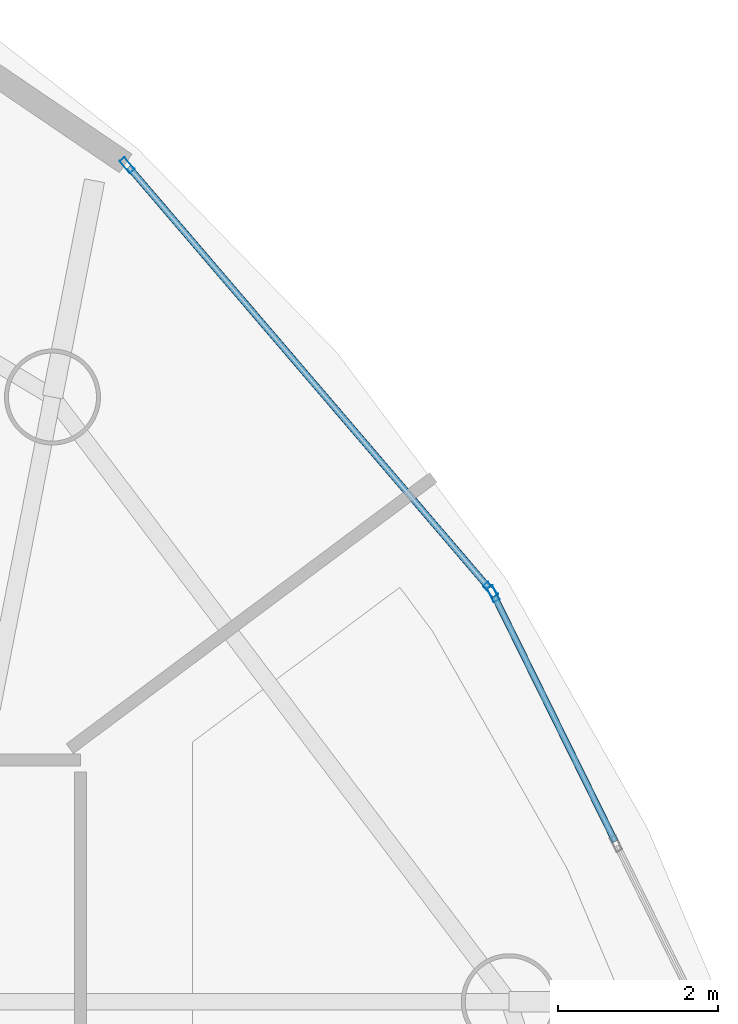
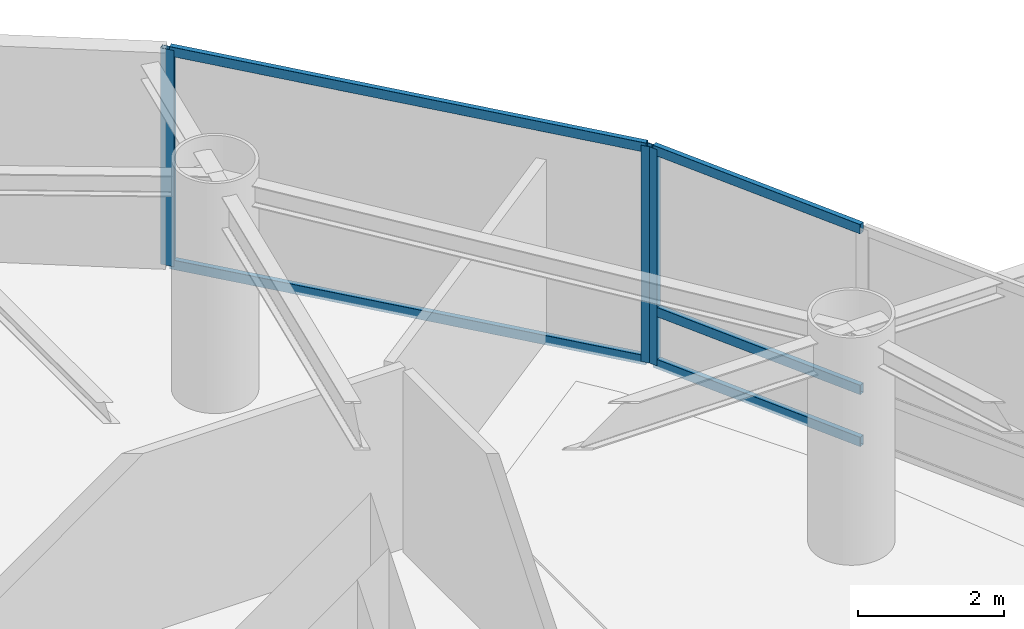
# One storey, part 12 of 19: 8 members, 2 elements without a shape of their own.
"""IFC4 building model written with IfcOpenShell, lengths in metres."""

from ifc_helpers import new_model, si_unit, direction, frame, origin, origin_2d, place, context, subcontext, project, spatial, hollow_rectangle, extrude, material, layer, layer_set, material_profile, profile_set, type_object, element, aggregate, save


model = new_model("IFC4")

# Units and contexts
model_context = context("Model", 3, precision=1e-05, world=origin(), true_north=direction((0.0, 1.0)))
body_context = subcontext(model_context, "Body", "Model", "MODEL_VIEW")
ifc_project = project(units=[si_unit("LENGTHUNIT", "METRE"), si_unit("AREAUNIT", "SQUARE_METRE"), si_unit("VOLUMEUNIT", "CUBIC_METRE"), si_unit("PLANEANGLEUNIT", "RADIAN"), si_unit("MASSUNIT", "GRAM", prefix="KILO")], contexts=[model_context])

# Site, building, storey
site_placement = place(None, origin())
site = spatial("IfcSite", under=ifc_project, at=site_placement, CompositionType="ELEMENT")
building_placement = place(site_placement, origin())
building = spatial("IfcBuilding", under=site, at=building_placement, Name="Bramvorn Convention Spire", CompositionType="ELEMENT")
storey_placement = place(building_placement, frame((0.0, 0.0, 198.14990234375)))
storey = spatial("IfcBuildingStorey", under=building, at=storey_placement, Name="L50", CompositionType="ELEMENT", Elevation=198.14990234375)

# Curtain wall, member
ifc_material_1 = material(Name="Anodised Bronze Unitised Curtain Wall", Category="aluminium")
ifc_layer = layer(ifc_material_1, 0.179931640625)
ifc_layer_set = layer_set([ifc_layer], Name="Anodised Bronze Unitised Curtain Wall - CW-OFF-FRIT")
curtain_wall_type = type_object("IfcCurtainWallType", Name="CW-OFF-FRIT", PredefinedType="USERDEFINED", material=ifc_layer_set)
curtain_wall_1_placement = place(storey_placement, origin())
curtain_wall_1 = element("IfcCurtainWall", 1, at=curtain_wall_1_placement, inside=storey, type_object=curtain_wall_type, Name="L50 fritted glass curtain wall 05", ObjectType="UNITISED CURTAIN WALL", PredefinedType="USERDEFINED")
ifc_material_2 = material(Name="Anodised Bronze Aluminium 6063-T6", Category="aluminium")
ifc_material_profile_1 = material_profile(ifc_material_2, hollow_rectangle(XDim=0.080078125, YDim=0.199951171875, WallThickness=0.00390625, InnerFilletRadius=0.0009765625, OuterFilletRadius=0.00390625, at=origin_2d()))
ifc_profile_set_1 = profile_set([ifc_material_profile_1], Name="Anodised Bronze Aluminium 6063-T6 - CWM80X200")
member_type_1 = type_object("IfcMemberType", Name="CW-MUL-180", PredefinedType="MULLION", material=ifc_profile_set_1)
member_1_placement = place(storey_placement, frame((56.01025390625, 37.42529296875, 0.0), z_axis=(0.0, 0.0, 1.0), x_axis=(0.897188658039, 0.441647497316, 0.0)))
member_1 = element("IfcMember", 2, at=member_1_placement, type_object=member_type_1, Name="CW3 mullion 1", PredefinedType="MULLION", context=body_context, shape_type="SweptSolid", body=[
    extrude(hollow_rectangle(XDim=0.080078125, YDim=0.199951171875, WallThickness=0.00390625, InnerFilletRadius=0.0009765625, OuterFilletRadius=0.00390625, at=origin_2d()), origin(), (0.0, 0.0, 1.0), 3.6201171875),
])

# Curtain wall, members
curtain_wall_2_placement = place(storey_placement, origin())
curtain_wall_2 = element("IfcCurtainWall", 3, at=curtain_wall_2_placement, inside=storey, type_object=curtain_wall_type, Name="L50 fritted glass curtain wall 06", ObjectType="UNITISED CURTAIN WALL", PredefinedType="USERDEFINED")
member_2_placement = place(storey_placement, frame((51.435546875, 42.78271484375, 0.0), z_axis=(0.0, 0.0, 1.0), x_axis=(0.759786338562, 0.650172838355, 0.0)))
member_2 = element("IfcMember", 4, at=member_2_placement, type_object=member_type_1, Name="CW3 mullion 1", PredefinedType="MULLION", context=body_context, shape_type="SweptSolid", body=[
    extrude(hollow_rectangle(XDim=0.080078125, YDim=0.199951171875, WallThickness=0.00390625, InnerFilletRadius=0.0009765625, OuterFilletRadius=0.00390625, at=origin_2d()), origin(), (0.0, 0.0, 1.0), 3.6201171875),
])
member_3_placement = place(storey_placement, frame((55.9775390625, 37.47509765625, 0.0), z_axis=(0.0, 0.0, 1.0), x_axis=(0.759786338562, 0.650172838355, 0.0)))
member_3 = element("IfcMember", 5, at=member_3_placement, type_object=member_type_1, Name="CW3 mullion 2", PredefinedType="MULLION", context=body_context, shape_type="SweptSolid", body=[
    extrude(hollow_rectangle(XDim=0.080078125, YDim=0.199951171875, WallThickness=0.00390625, InnerFilletRadius=0.0009765625, OuterFilletRadius=0.00390625, at=origin_2d()), origin(), (0.0, 0.0, 1.0), 3.6201171875),
])

# Member
ifc_material_profile_2 = material_profile(ifc_material_2, hollow_rectangle(XDim=0.080078125, YDim=0.159912109375, WallThickness=0.00390625, InnerFilletRadius=0.0009765625, OuterFilletRadius=0.00390625, at=origin_2d()))
ifc_profile_set_2 = profile_set([ifc_material_profile_2], Name="Anodised Bronze Aluminium 6063-T6 - CWT80X160")
member_type_2 = type_object("IfcMemberType", Name="CW-TRN-150", PredefinedType="USERDEFINED", material=ifc_profile_set_2)
member_4_placement = place(storey_placement, frame((56.0234375, 37.3984375, 0.030029296875), z_axis=(0.441663686622, -0.897180688557, 0.0), x_axis=(0.897180688557, 0.441663686622, 0.0)))
member_4 = element("IfcMember", 6, at=member_4_placement, type_object=member_type_2, Name="CW3 transom 1.1", ObjectType="TRANSOM", PredefinedType="USERDEFINED", context=body_context, shape_type="SweptSolid", body=[
    extrude(hollow_rectangle(XDim=0.080078125, YDim=0.159912109375, WallThickness=0.00390625, InnerFilletRadius=0.0009765625, OuterFilletRadius=0.00390625, at=origin_2d()), origin(), (0.0, 0.0, 1.0), 3.4189453125),
])

member_5_placement = place(storey_placement, frame((56.0234375, 37.3984375, 0.900146484375), z_axis=(0.441663686622, -0.897180688557, 0.0), x_axis=(0.897180688557, 0.441663686622, 0.0)))
member_5 = element("IfcMember", 7, at=member_5_placement, type_object=member_type_2, Name="CW3 transom 1.2", ObjectType="TRANSOM", PredefinedType="USERDEFINED", context=body_context, shape_type="SweptSolid", body=[
    extrude(hollow_rectangle(XDim=0.080078125, YDim=0.159912109375, WallThickness=0.00390625, InnerFilletRadius=0.0009765625, OuterFilletRadius=0.00390625, at=origin_2d()), origin(), (0.0, 0.0, 1.0), 3.4189453125),
])

member_6_placement = place(storey_placement, frame((56.0234375, 37.3984375, 3.590087890625), z_axis=(0.441663686622, -0.897180688557, 0.0), x_axis=(0.897180688557, 0.441663686622, 0.0)))
member_6 = element("IfcMember", 8, at=member_6_placement, type_object=member_type_2, Name="CW3 transom 1.3", ObjectType="TRANSOM", PredefinedType="USERDEFINED", context=body_context, shape_type="SweptSolid", body=[
    extrude(hollow_rectangle(XDim=0.080078125, YDim=0.159912109375, WallThickness=0.00390625, InnerFilletRadius=0.0009765625, OuterFilletRadius=0.00390625, at=origin_2d()), origin(), (0.0, 0.0, 1.0), 3.4189453125),
])

aggregate(curtain_wall_1, [member_1, member_4, member_5, member_6])

member_7_placement = place(storey_placement, frame((51.455078125, 42.760009765625, 0.030029296875), z_axis=(0.650164103584, -0.759793813091, 0.0), x_axis=(0.759793813091, 0.650164103584, 0.0)))
member_7 = element("IfcMember", 9, at=member_7_placement, type_object=member_type_2, Name="CW3 transom 1.1", ObjectType="TRANSOM", PredefinedType="USERDEFINED", context=body_context, shape_type="SweptSolid", body=[
    extrude(hollow_rectangle(XDim=0.080078125, YDim=0.159912109375, WallThickness=0.00390625, InnerFilletRadius=0.0009765625, OuterFilletRadius=0.00390625, at=origin_2d()), origin(), (0.0, 0.0, 1.0), 6.92578125),
])

member_8_placement = place(storey_placement, frame((51.455078125, 42.760009765625, 3.590087890625), z_axis=(0.650164103584, -0.759793813091, 0.0), x_axis=(0.759793813091, 0.650164103584, 0.0)))
member_8 = element("IfcMember", 10, at=member_8_placement, type_object=member_type_2, Name="CW3 transom 1.2", ObjectType="TRANSOM", PredefinedType="USERDEFINED", context=body_context, shape_type="SweptSolid", body=[
    extrude(hollow_rectangle(XDim=0.080078125, YDim=0.159912109375, WallThickness=0.00390625, InnerFilletRadius=0.0009765625, OuterFilletRadius=0.00390625, at=origin_2d()), origin(), (0.0, 0.0, 1.0), 6.92578125),
])

aggregate(curtain_wall_2, [member_2, member_3, member_7, member_8])

save(model, "model.ifc")
